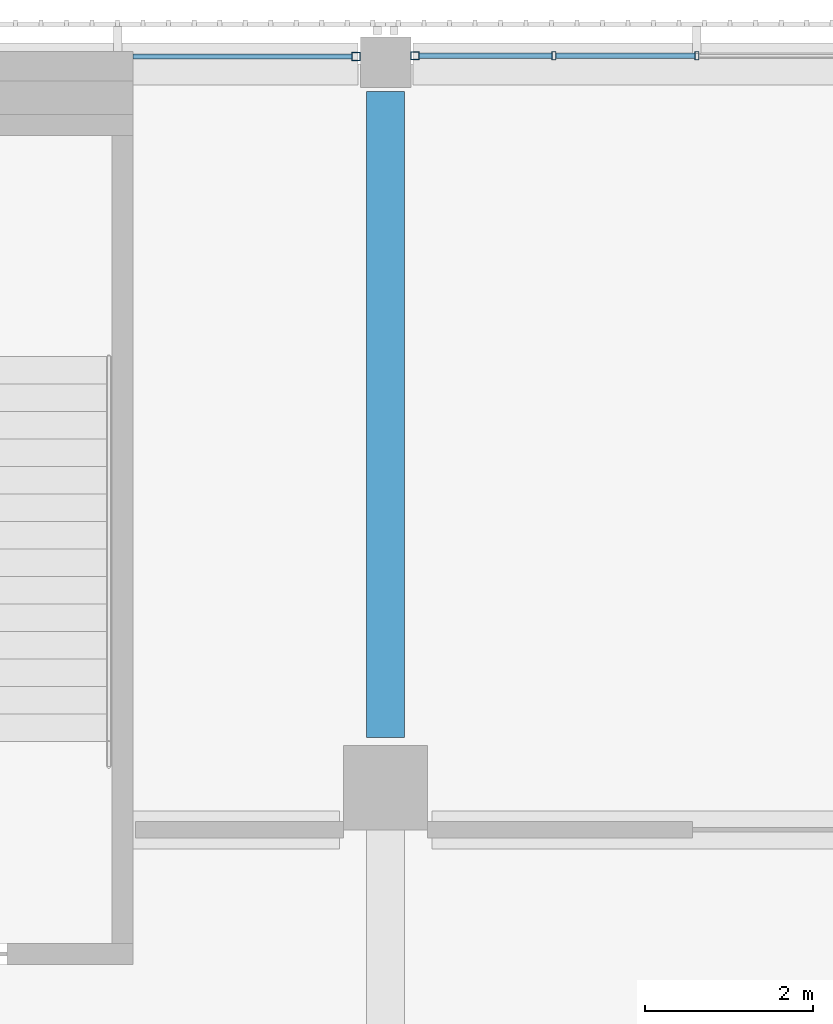
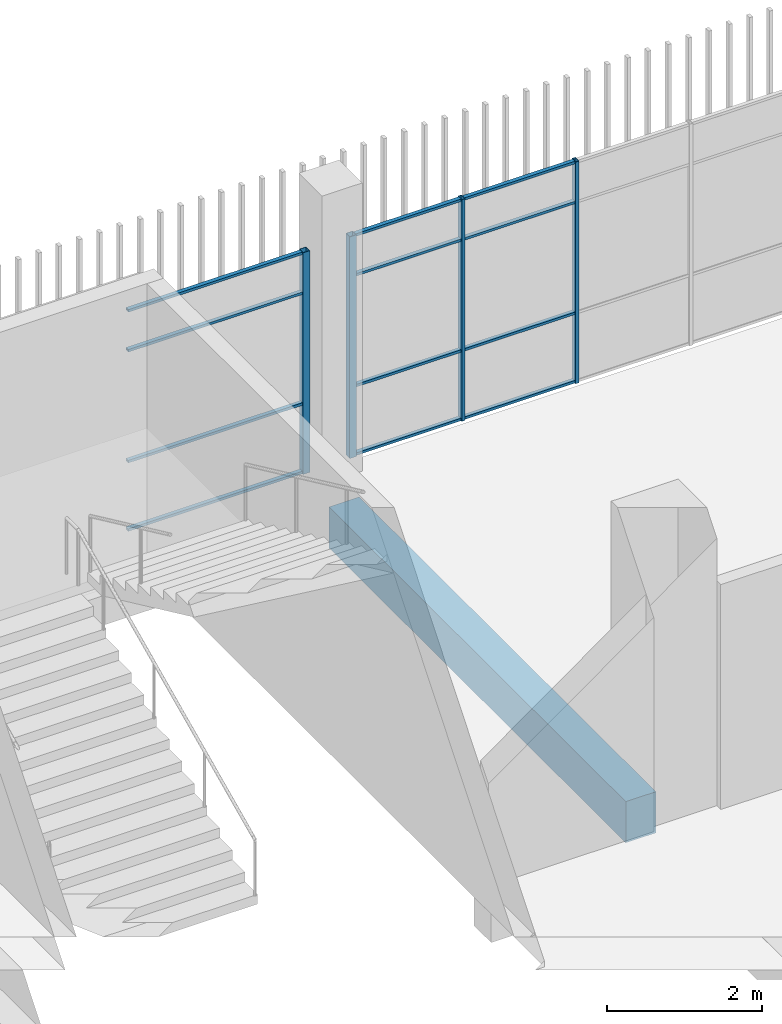
# One storey, part 40 of 126: 16 members, 1 beam, 2 elements without a shape of their own.
"""IFC4 building model written with IfcOpenShell, lengths in metres."""

from ifc_helpers import new_model, si_unit, direction, frame, origin, origin_2d, place, context, subcontext, project, spatial, rectangle, hollow_rectangle, extrude, material, layer, layer_set, material_profile, profile_set, type_object, element, aggregate, save


model = new_model("IFC4")

# Units and contexts
model_context = context("Model", 3, precision=1e-05, world=origin(), true_north=direction((0.0, 1.0)))
body_context = subcontext(model_context, "Body", "Model", "MODEL_VIEW")
ifc_project = project(units=[si_unit("LENGTHUNIT", "METRE"), si_unit("AREAUNIT", "SQUARE_METRE"), si_unit("VOLUMEUNIT", "CUBIC_METRE"), si_unit("PLANEANGLEUNIT", "RADIAN"), si_unit("MASSUNIT", "GRAM", prefix="KILO")], contexts=[model_context])

# Site, building, storey
site_placement = place(None, origin())
site = spatial("IfcSite", under=ifc_project, at=site_placement, CompositionType="ELEMENT")
building_placement = place(site_placement, origin())
building = spatial("IfcBuilding", under=site, at=building_placement, Name="Shirokan Park Arena", CompositionType="ELEMENT")
storey_placement = place(building_placement, frame((0.0, 0.0, 6.3701171875)))
storey = spatial("IfcBuildingStorey", under=building, at=storey_placement, Name="L01", CompositionType="ELEMENT", Elevation=6.3701171875)

# Curtain wall, member
ifc_material_1 = material(Name="Steel and glass curtain wall", Category="steel")
ifc_layer_1 = layer(ifc_material_1, 0.10009765625)
ifc_layer_set_1 = layer_set([ifc_layer_1], Name="Steel and glass curtain wall 100 mm")
curtain_wall_type_1 = type_object("IfcCurtainWallType", Name="Curtain wall sheltered bay 100", PredefinedType="NOTDEFINED", material=ifc_layer_set_1)
curtain_wall_1_placement = place(storey_placement, origin())
curtain_wall_1 = element("IfcCurtainWall", 1, at=curtain_wall_1_placement, inside=storey, type_object=curtain_wall_type_1, Name="Curtain wall north bay 6 L01", PredefinedType="NOTDEFINED")
ifc_material_2 = material(Name="Steel S355", Category="steel")
ifc_material_profile_1 = material_profile(ifc_material_2, hollow_rectangle(XDim=0.10009765625, YDim=0.10009765625, WallThickness=0.006103515625, at=origin_2d()), Name="RHS 100x100x6")
ifc_profile_set_1 = profile_set([ifc_material_profile_1], Name="Steel S355")
member_type_1 = type_object("IfcMemberType", Name="Mullion RHS 100x100x6", PredefinedType="MULLION", material=ifc_profile_set_1)
member_1_placement = place(storey_placement, frame((91.35009765625, 109.300048828125, 0.0), z_axis=(0.0, 0.0, 1.0), x_axis=(0.0, -1.0, 0.0)))
member_1 = element("IfcMember", 2, at=member_1_placement, type_object=member_type_1, Name="CW2 mullion 6", PredefinedType="MULLION", context=body_context, shape_type="SweptSolid", body=[
    extrude(hollow_rectangle(XDim=0.10009765625, YDim=0.10009765625, WallThickness=0.006103515625, at=origin_2d()), origin(), (0.0, 0.0, 1.0), 3.5),
])

ifc_layer_2 = layer(ifc_material_1, 0.1201171875)
ifc_layer_set_2 = layer_set([ifc_layer_2], Name="Steel and glass curtain wall 120 mm")
curtain_wall_type_2 = type_object("IfcCurtainWallType", Name="Curtain wall corner block side bay 120", PredefinedType="NOTDEFINED", material=ifc_layer_set_2)
curtain_wall_2_placement = place(storey_placement, origin())
curtain_wall_2 = element("IfcCurtainWall", 3, at=curtain_wall_2_placement, inside=storey, type_object=curtain_wall_type_2, Name="Curtain wall north bay 7 L01", PredefinedType="NOTDEFINED")
member_2_placement = place(storey_placement, frame((90.64990234375, 109.2900390625, 0.0), z_axis=(0.0, 0.0, 1.0), x_axis=(0.0, -1.0, 0.0)))
member_2 = element("IfcMember", 4, at=member_2_placement, type_object=member_type_1, Name="CW3 mullion 1", PredefinedType="MULLION", context=body_context, shape_type="SweptSolid", body=[
    extrude(hollow_rectangle(XDim=0.10009765625, YDim=0.10009765625, WallThickness=0.006103515625, at=origin_2d()), origin(), (0.0, 0.0, 1.0), 3.5),
])

# Member
ifc_material_profile_2 = material_profile(ifc_material_2, hollow_rectangle(XDim=0.10009765625, YDim=0.050048828125, WallThickness=0.0048828125, at=origin_2d()), Name="RHS 100x50x5")
ifc_profile_set_2 = profile_set([ifc_material_profile_2], Name="Steel S355")
member_type_2 = type_object("IfcMemberType", Name="Mullion RHS 100x50x5", PredefinedType="MULLION", material=ifc_profile_set_2)
member_3_placement = place(storey_placement, frame((94.699951171875, 109.300048828125, 0.0), z_axis=(0.0, 0.0, 1.0), x_axis=(0.0, -1.0, 0.0)))
member_3 = element("IfcMember", 5, at=member_3_placement, type_object=member_type_2, Name="CW2 mullion 4", PredefinedType="MULLION", context=body_context, shape_type="SweptSolid", body=[
    extrude(hollow_rectangle(XDim=0.10009765625, YDim=0.050048828125, WallThickness=0.0048828125, at=origin_2d()), origin(), (0.0, 0.0, 1.0), 3.5),
])

member_4_placement = place(storey_placement, frame((93.0, 109.300048828125, 0.0), z_axis=(0.0, 0.0, 1.0), x_axis=(0.0, -1.0, 0.0)))
member_4 = element("IfcMember", 6, at=member_4_placement, type_object=member_type_2, Name="CW2 mullion 5", PredefinedType="MULLION", context=body_context, shape_type="SweptSolid", body=[
    extrude(hollow_rectangle(XDim=0.10009765625, YDim=0.050048828125, WallThickness=0.0048828125, at=origin_2d()), origin(), (0.0, 0.0, 1.0), 3.5),
])

# Beam
ifc_material_3 = material(Name="Concrete C35", Category="concrete")
ifc_material_profile_3 = material_profile(ifc_material_3, rectangle(XDim=0.449951171875, YDim=0.64990234375, at=origin_2d()), Name="450x650")
ifc_profile_set_3 = profile_set([ifc_material_profile_3], Name="Concrete C35")
beam_type = type_object("IfcBeamType", Name="RC girder 450x650", PredefinedType="BEAM", material=ifc_profile_set_3)
beam_placement = place(storey_placement, frame((91.0, 101.2001953125, -0.675048828125), z_axis=(0.0, 1.0, 0.0), x_axis=(-1.0, 0.0, 0.0)))
element("IfcBeam", 7, at=beam_placement, inside=storey, type_object=beam_type, Name="Girder 11M-11N L01", PredefinedType="BEAM", context=body_context, shape_type="SweptSolid", body=[
    extrude(rectangle(XDim=0.449951171875, YDim=0.64990234375, at=origin_2d()), origin(), (0.0, 0.0, 1.0), 7.6748046875),
])

# Member
ifc_material_profile_4 = material_profile(ifc_material_2, hollow_rectangle(XDim=0.06005859375, YDim=0.0400390625, WallThickness=0.00390625, at=origin_2d()), Name="RHS 60x40x4")
ifc_profile_set_4 = profile_set([ifc_material_profile_4], Name="Steel S355")
member_type_3 = type_object("IfcMemberType", Name="Transom RHS 60x40x4", PredefinedType="MULLION", material=ifc_profile_set_4)
member_5_placement = place(storey_placement, frame((94.675048828125, 109.300048828125, 0.019775390625), z_axis=(-1.0, 0.0, 0.0), x_axis=(0.0, -1.0, 0.0)))
member_5 = element("IfcMember", 8, at=member_5_placement, type_object=member_type_3, Name="CW2 transom 4.1", PredefinedType="MULLION", context=body_context, shape_type="SweptSolid", body=[
    extrude(hollow_rectangle(XDim=0.06005859375, YDim=0.0400390625, WallThickness=0.00390625, at=origin_2d()), origin(), (0.0, 0.0, 1.0), 1.650146484375),
])

member_6_placement = place(storey_placement, frame((94.675048828125, 109.300048828125, 1.099853515625), z_axis=(-1.0, 0.0, 0.0), x_axis=(0.0, -1.0, 0.0)))
member_6 = element("IfcMember", 9, at=member_6_placement, type_object=member_type_3, Name="CW2 transom 4.2", PredefinedType="MULLION", context=body_context, shape_type="SweptSolid", body=[
    extrude(hollow_rectangle(XDim=0.06005859375, YDim=0.0400390625, WallThickness=0.00390625, at=origin_2d()), origin(), (0.0, 0.0, 1.0), 1.650146484375),
])

member_7_placement = place(storey_placement, frame((94.675048828125, 109.300048828125, 2.849853515625), z_axis=(-1.0, 0.0, 0.0), x_axis=(0.0, -1.0, 0.0)))
member_7 = element("IfcMember", 10, at=member_7_placement, type_object=member_type_3, Name="CW2 transom 4.3", PredefinedType="MULLION", context=body_context, shape_type="SweptSolid", body=[
    extrude(hollow_rectangle(XDim=0.06005859375, YDim=0.0400390625, WallThickness=0.00390625, at=origin_2d()), origin(), (0.0, 0.0, 1.0), 1.650146484375),
])

member_8_placement = place(storey_placement, frame((94.675048828125, 109.300048828125, 3.47998046875), z_axis=(-1.0, 0.0, 0.0), x_axis=(0.0, -1.0, 0.0)))
member_8 = element("IfcMember", 11, at=member_8_placement, type_object=member_type_3, Name="CW2 transom 4.4", PredefinedType="MULLION", context=body_context, shape_type="SweptSolid", body=[
    extrude(hollow_rectangle(XDim=0.06005859375, YDim=0.0400390625, WallThickness=0.00390625, at=origin_2d()), origin(), (0.0, 0.0, 1.0), 1.650146484375),
])

member_9_placement = place(storey_placement, frame((92.97509765625, 109.300048828125, 0.019775390625), z_axis=(-1.0, 0.0, 0.0), x_axis=(0.0, -1.0, 0.0)))
member_9 = element("IfcMember", 12, at=member_9_placement, type_object=member_type_3, Name="CW2 transom 5.1", PredefinedType="MULLION", context=body_context, shape_type="SweptSolid", body=[
    extrude(hollow_rectangle(XDim=0.06005859375, YDim=0.0400390625, WallThickness=0.00390625, at=origin_2d()), origin(), (0.0, 0.0, 1.0), 1.5751953125),
])

member_10_placement = place(storey_placement, frame((92.97509765625, 109.300048828125, 1.099853515625), z_axis=(-1.0, 0.0, 0.0), x_axis=(0.0, -1.0, 0.0)))
member_10 = element("IfcMember", 13, at=member_10_placement, type_object=member_type_3, Name="CW2 transom 5.2", PredefinedType="MULLION", context=body_context, shape_type="SweptSolid", body=[
    extrude(hollow_rectangle(XDim=0.06005859375, YDim=0.0400390625, WallThickness=0.00390625, at=origin_2d()), origin(), (0.0, 0.0, 1.0), 1.5751953125),
])

member_11_placement = place(storey_placement, frame((92.97509765625, 109.300048828125, 2.849853515625), z_axis=(-1.0, 0.0, 0.0), x_axis=(0.0, -1.0, 0.0)))
member_11 = element("IfcMember", 14, at=member_11_placement, type_object=member_type_3, Name="CW2 transom 5.3", PredefinedType="MULLION", context=body_context, shape_type="SweptSolid", body=[
    extrude(hollow_rectangle(XDim=0.06005859375, YDim=0.0400390625, WallThickness=0.00390625, at=origin_2d()), origin(), (0.0, 0.0, 1.0), 1.5751953125),
])

member_12_placement = place(storey_placement, frame((92.97509765625, 109.300048828125, 3.47998046875), z_axis=(-1.0, 0.0, 0.0), x_axis=(0.0, -1.0, 0.0)))
member_12 = element("IfcMember", 15, at=member_12_placement, type_object=member_type_3, Name="CW2 transom 5.4", PredefinedType="MULLION", context=body_context, shape_type="SweptSolid", body=[
    extrude(hollow_rectangle(XDim=0.06005859375, YDim=0.0400390625, WallThickness=0.00390625, at=origin_2d()), origin(), (0.0, 0.0, 1.0), 1.5751953125),
])

aggregate(curtain_wall_1, [member_3, member_4, member_1, member_5, member_6, member_7, member_8, member_9, member_10, member_11, member_12])

member_13_placement = place(storey_placement, frame((90.60009765625, 109.2900390625, 0.019775390625), z_axis=(-1.0, 0.0, 0.0), x_axis=(0.0, -1.0, 0.0)))
member_13 = element("IfcMember", 16, at=member_13_placement, type_object=member_type_3, Name="CW3 transom 1.1", PredefinedType="MULLION", context=body_context, shape_type="SweptSolid", body=[
    extrude(hollow_rectangle(XDim=0.06005859375, YDim=0.0400390625, WallThickness=0.00390625, at=origin_2d()), origin(), (0.0, 0.0, 1.0), 2.60009765625),
])

member_14_placement = place(storey_placement, frame((90.60009765625, 109.2900390625, 1.099853515625), z_axis=(-1.0, 0.0, 0.0), x_axis=(0.0, -1.0, 0.0)))
member_14 = element("IfcMember", 17, at=member_14_placement, type_object=member_type_3, Name="CW3 transom 1.2", PredefinedType="MULLION", context=body_context, shape_type="SweptSolid", body=[
    extrude(hollow_rectangle(XDim=0.06005859375, YDim=0.0400390625, WallThickness=0.00390625, at=origin_2d()), origin(), (0.0, 0.0, 1.0), 2.60009765625),
])

member_15_placement = place(storey_placement, frame((90.60009765625, 109.2900390625, 2.849853515625), z_axis=(-1.0, 0.0, 0.0), x_axis=(0.0, -1.0, 0.0)))
member_15 = element("IfcMember", 18, at=member_15_placement, type_object=member_type_3, Name="CW3 transom 1.3", PredefinedType="MULLION", context=body_context, shape_type="SweptSolid", body=[
    extrude(hollow_rectangle(XDim=0.06005859375, YDim=0.0400390625, WallThickness=0.00390625, at=origin_2d()), origin(), (0.0, 0.0, 1.0), 2.60009765625),
])

member_16_placement = place(storey_placement, frame((90.60009765625, 109.2900390625, 3.47998046875), z_axis=(-1.0, 0.0, 0.0), x_axis=(0.0, -1.0, 0.0)))
member_16 = element("IfcMember", 19, at=member_16_placement, type_object=member_type_3, Name="CW3 transom 1.4", PredefinedType="MULLION", context=body_context, shape_type="SweptSolid", body=[
    extrude(hollow_rectangle(XDim=0.06005859375, YDim=0.0400390625, WallThickness=0.00390625, at=origin_2d()), origin(), (0.0, 0.0, 1.0), 2.60009765625),
])

aggregate(curtain_wall_2, [member_2, member_13, member_14, member_15, member_16])

save(model, "model.ifc")
